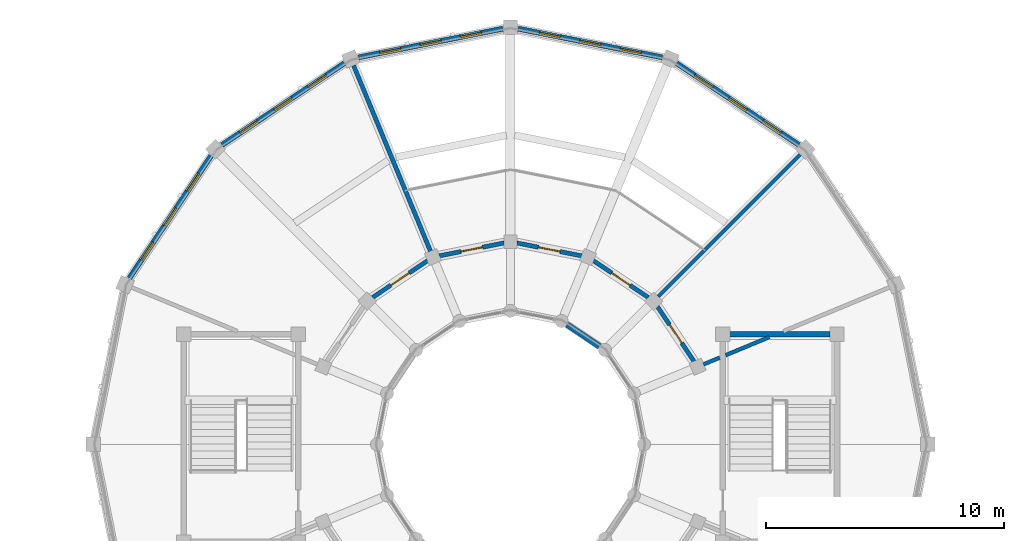
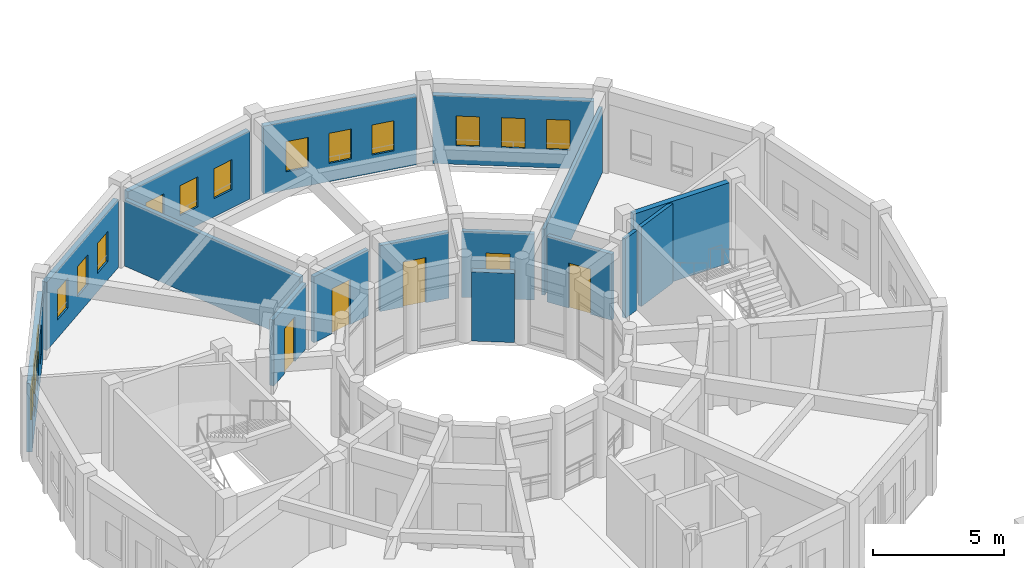
# One storey, part 130 of 159: 16 walls, 15 windows, 5 doors, 20 openings.
"""IFC4 building model written with IfcOpenShell, lengths in metres."""

from ifc_helpers import new_model, si_unit, direction, frame, frame_2d, origin, place, context, subcontext, project, spatial, rectangle, extrude, material, layer, layer_set, type_object, element, fill, save


model = new_model("IFC4")

# Units and contexts
model_context = context("Model", 3, precision=1e-05, world=origin(), true_north=direction((0.0, 1.0)))
body_context = subcontext(model_context, "Body", "Model", "MODEL_VIEW")
ifc_project = project(units=[si_unit("LENGTHUNIT", "METRE"), si_unit("AREAUNIT", "SQUARE_METRE"), si_unit("VOLUMEUNIT", "CUBIC_METRE"), si_unit("PLANEANGLEUNIT", "RADIAN"), si_unit("MASSUNIT", "GRAM", prefix="KILO")], contexts=[model_context])

# Site, building, storey
site_placement = place(None, origin())
site = spatial("IfcSite", under=ifc_project, at=site_placement, CompositionType="ELEMENT")
building_placement = place(site_placement, origin())
building = spatial("IfcBuilding", under=site, at=building_placement, Name="Celadon Cloister-Ring School", CompositionType="ELEMENT")
storey_placement = place(building_placement, frame((0.0, 0.0, 4.5)))
storey = spatial("IfcBuildingStorey", under=building, at=storey_placement, Name="L01", CompositionType="ELEMENT", Elevation=4.5)

# Wall
ifc_material_1 = material(Name="Rendered concrete blockwork", Category="masonry")
ifc_layer_1 = layer(ifc_material_1, 0.239990234375)
ifc_layer_set_1 = layer_set([ifc_layer_1], Name="Rendered concrete blockwork")
wall_type_1 = type_object("IfcWallType", Name="WT-EX3", PredefinedType="SOLIDWALL", material=ifc_layer_set_1)
wall_1_placement = place(storey_placement, frame((23.929931640625, 101.114013671875, 0.0), z_axis=(0.0, 0.0, 1.0), x_axis=(-0.83165874011, 0.555287078904, 0.0)))
element("IfcWall", 1, at=wall_1_placement, inside=storey, type_object=wall_type_1, Name="Exterior Wall 0234", PredefinedType="SOLIDWALL", context=body_context, shape_type="SweptSolid", body=[
    extrude(rectangle(XDim=1.631591796875, YDim=0.239990234375, at=frame_2d((0.81591796875, 0.0))), origin(), (0.0, 0.0, 1.0), 3.221923828125),
])

# Wall, openings, windows
ifc_material_2 = material(Name="Perforated terracotta clay brick masonry", Category="masonry")
ifc_layer_2 = layer(ifc_material_2, 0.219970703125)
ifc_layer_set_2 = layer_set([ifc_layer_2], Name="Perforated terracotta clay brick masonry")
wall_type_2 = type_object("IfcWallType", Name="WT-EX4", PredefinedType="SOLIDWALL", material=ifc_layer_set_2)
wall_2_placement = place(storey_placement, frame((27.1708984375, 112.985107421875, 0.0), z_axis=(0.0, 0.0, 1.0), x_axis=(0.831392186772, -0.55568609104, 0.0)))
wall_2 = element("IfcWall", 2, at=wall_2_placement, inside=storey, type_object=wall_type_2, Name="Exterior Wall 0233", PredefinedType="SOLIDWALL", context=body_context, shape_type="SweptSolid", body=[
    extrude(rectangle(XDim=6.16943359375, YDim=0.219970703125, at=frame_2d((3.084716796875, 0.0))), origin(), (0.0, 0.0, 1.0), 3.172119140625),
])
opening_1_placement = place(wall_2_placement, frame((0.906982421875, 0.0, 0.85009765625)))
opening_1 = element("IfcOpeningElement", 3, at=opening_1_placement, cuts=wall_2, Name="Opening WN-21", PredefinedType="OPENING", context=body_context, shape_type="SweptSolid", body=[
    extrude(rectangle(XDim=0.89990234375, YDim=1.39990234375, at=frame_2d((0.449951171875, 0.699951171875))), frame((0.0, 0.1201171875, 0.0), z_axis=(0.0, -1.0, 0.0), x_axis=(1.0, 0.0, 0.0)), (0.0, 0.0, 1.0), 0.239990234375),
])
opening_2_placement = place(wall_2_placement, frame((2.635009765625, 0.0, 0.85009765625)))
opening_2 = element("IfcOpeningElement", 4, at=opening_2_placement, cuts=wall_2, Name="Opening WN-21", PredefinedType="OPENING", context=body_context, shape_type="SweptSolid", body=[
    extrude(rectangle(XDim=0.89990234375, YDim=1.39990234375, at=frame_2d((0.449951171875, 0.699951171875))), frame((0.0, 0.1201171875, 0.0), z_axis=(0.0, -1.0, 0.0), x_axis=(1.0, 0.0, 0.0)), (0.0, 0.0, 1.0), 0.239990234375),
])
opening_3_placement = place(wall_2_placement, frame((4.362060546875, 0.0, 0.85009765625)))
opening_3 = element("IfcOpeningElement", 5, at=opening_3_placement, cuts=wall_2, Name="Opening WN-21", PredefinedType="OPENING", context=body_context, shape_type="SweptSolid", body=[
    extrude(rectangle(XDim=0.89990234375, YDim=1.39990234375, at=frame_2d((0.449951171875, 0.699951171875))), frame((0.0, 0.1201171875, 0.0), z_axis=(0.0, -1.0, 0.0), x_axis=(1.0, 0.0, 0.0)), (0.0, 0.0, 1.0), 0.239990234375),
])
ifc_material_3 = material(Name="Tempered laminated insulating glass", Category="glass")
window_type = type_object("IfcWindowType", Name="WN-21", PartitioningType="SINGLE_PANEL", PredefinedType="WINDOW", material=ifc_material_3)
window_1_placement = place(opening_1_placement, origin())
window_1 = element("IfcWindow", 6, at=window_1_placement, inside=storey, type_object=window_type, Name="Window 0625", OverallHeight=1.39990234375, OverallWidth=0.89990234375, PartitioningType="SINGLE_PANEL", PredefinedType="WINDOW", context=body_context, shape_type="SweptSolid", body=[
    extrude(rectangle(XDim=0.89990234375, YDim=1.39990234375, at=frame_2d((0.449951171875, 0.699951171875))), frame((0.0, 0.030029296875, 0.0), z_axis=(0.0, -1.0, 0.0), x_axis=(1.0, 0.0, 0.0)), (0.0, 0.0, 1.0), 0.06005859375),
])
fill(opening_1, window_1)
window_2_placement = place(opening_2_placement, origin())
window_2 = element("IfcWindow", 7, at=window_2_placement, inside=storey, type_object=window_type, Name="Window 0626", OverallHeight=1.39990234375, OverallWidth=0.89990234375, PartitioningType="SINGLE_PANEL", PredefinedType="WINDOW", context=body_context, shape_type="SweptSolid", body=[
    extrude(rectangle(XDim=0.89990234375, YDim=1.39990234375, at=frame_2d((0.449951171875, 0.699951171875))), frame((0.0, 0.030029296875, 0.0), z_axis=(0.0, -1.0, 0.0), x_axis=(1.0, 0.0, 0.0)), (0.0, 0.0, 1.0), 0.06005859375),
])
fill(opening_2, window_2)
window_3_placement = place(opening_3_placement, origin())
window_3 = element("IfcWindow", 8, at=window_3_placement, inside=storey, type_object=window_type, Name="Window 0627", OverallHeight=1.39990234375, OverallWidth=0.89990234375, PartitioningType="SINGLE_PANEL", PredefinedType="WINDOW", context=body_context, shape_type="SweptSolid", body=[
    extrude(rectangle(XDim=0.89990234375, YDim=1.39990234375, at=frame_2d((0.449951171875, 0.699951171875))), frame((0.0, 0.030029296875, 0.0), z_axis=(0.0, -1.0, 0.0), x_axis=(1.0, 0.0, 0.0)), (0.0, 0.0, 1.0), 0.06005859375),
])
fill(opening_3, window_3)

wall_3_placement = place(storey_placement, frame((20.52294921875, 114.43603515625, 0.0), z_axis=(0.0, 0.0, 1.0), x_axis=(0.980770460131, -0.195164813773, 0.0)))
wall_3 = element("IfcWall", 9, at=wall_3_placement, inside=storey, type_object=wall_type_2, Name="Exterior Wall 0235", PredefinedType="SOLIDWALL", context=body_context, shape_type="SweptSolid", body=[
    extrude(rectangle(XDim=6.169677734375, YDim=0.219970703125, at=frame_2d((3.0849609375, 0.0))), origin(), (0.0, 0.0, 1.0), 3.172119140625),
])
opening_4_placement = place(wall_3_placement, frame((0.906982421875, 0.0, 0.85009765625)))
opening_4 = element("IfcOpeningElement", 10, at=opening_4_placement, cuts=wall_3, Name="Opening WN-21", PredefinedType="OPENING", context=body_context, shape_type="SweptSolid", body=[
    extrude(rectangle(XDim=0.89990234375, YDim=1.39990234375, at=frame_2d((0.449951171875, 0.699951171875))), frame((0.0, 0.1201171875, 0.0), z_axis=(0.0, -1.0, 0.0), x_axis=(1.0, 0.0, 0.0)), (0.0, 0.0, 1.0), 0.239990234375),
])
opening_5_placement = place(wall_3_placement, frame((2.635009765625, 0.0, 0.85009765625)))
opening_5 = element("IfcOpeningElement", 11, at=opening_5_placement, cuts=wall_3, Name="Opening WN-21", PredefinedType="OPENING", context=body_context, shape_type="SweptSolid", body=[
    extrude(rectangle(XDim=0.89990234375, YDim=1.39990234375, at=frame_2d((0.449951171875, 0.699951171875))), frame((0.0, 0.1201171875, 0.0), z_axis=(0.0, -1.0, 0.0), x_axis=(1.0, 0.0, 0.0)), (0.0, 0.0, 1.0), 0.239990234375),
])
opening_6_placement = place(wall_3_placement, frame((4.362060546875, 0.0, 0.85009765625)))
opening_6 = element("IfcOpeningElement", 12, at=opening_6_placement, cuts=wall_3, Name="Opening WN-21", PredefinedType="OPENING", context=body_context, shape_type="SweptSolid", body=[
    extrude(rectangle(XDim=0.89990234375, YDim=1.39990234375, at=frame_2d((0.449951171875, 0.699951171875))), frame((0.0, 0.1201171875, 0.0), z_axis=(0.0, -1.0, 0.0), x_axis=(1.0, 0.0, 0.0)), (0.0, 0.0, 1.0), 0.239990234375),
])
window_4_placement = place(opening_4_placement, origin())
window_4 = element("IfcWindow", 13, at=window_4_placement, inside=storey, type_object=window_type, Name="Window 0628", OverallHeight=1.39990234375, OverallWidth=0.89990234375, PartitioningType="SINGLE_PANEL", PredefinedType="WINDOW", context=body_context, shape_type="SweptSolid", body=[
    extrude(rectangle(XDim=0.89990234375, YDim=1.39990234375, at=frame_2d((0.449951171875, 0.699951171875))), frame((0.0, 0.030029296875, 0.0), z_axis=(0.0, -1.0, 0.0), x_axis=(1.0, 0.0, 0.0)), (0.0, 0.0, 1.0), 0.06005859375),
])
fill(opening_4, window_4)
window_5_placement = place(opening_5_placement, origin())
window_5 = element("IfcWindow", 14, at=window_5_placement, inside=storey, type_object=window_type, Name="Window 0629", OverallHeight=1.39990234375, OverallWidth=0.89990234375, PartitioningType="SINGLE_PANEL", PredefinedType="WINDOW", context=body_context, shape_type="SweptSolid", body=[
    extrude(rectangle(XDim=0.89990234375, YDim=1.39990234375, at=frame_2d((0.449951171875, 0.699951171875))), frame((0.0, 0.030029296875, 0.0), z_axis=(0.0, -1.0, 0.0), x_axis=(1.0, 0.0, 0.0)), (0.0, 0.0, 1.0), 0.06005859375),
])
fill(opening_5, window_5)
window_6_placement = place(opening_6_placement, origin())
window_6 = element("IfcWindow", 15, at=window_6_placement, inside=storey, type_object=window_type, Name="Window 0630", OverallHeight=1.39990234375, OverallWidth=0.89990234375, PartitioningType="SINGLE_PANEL", PredefinedType="WINDOW", context=body_context, shape_type="SweptSolid", body=[
    extrude(rectangle(XDim=0.89990234375, YDim=1.39990234375, at=frame_2d((0.449951171875, 0.699951171875))), frame((0.0, 0.030029296875, 0.0), z_axis=(0.0, -1.0, 0.0), x_axis=(1.0, 0.0, 0.0)), (0.0, 0.0, 1.0), 0.06005859375),
])
fill(opening_6, window_6)

wall_4_placement = place(storey_placement, frame((13.825927734375, 113.23193359375, 0.0), z_axis=(0.0, 0.0, 1.0), x_axis=(0.980770460131, 0.195164813773, 0.0)))
wall_4 = element("IfcWall", 16, at=wall_4_placement, inside=storey, type_object=wall_type_2, Name="Exterior Wall 0236", PredefinedType="SOLIDWALL", context=body_context, shape_type="SweptSolid", body=[
    extrude(rectangle(XDim=6.169677734375, YDim=0.219970703125, at=frame_2d((3.0849609375, 0.0))), origin(), (0.0, 0.0, 1.0), 3.172119140625),
])
opening_7_placement = place(wall_4_placement, frame((0.906982421875, 0.0, 0.85009765625)))
opening_7 = element("IfcOpeningElement", 17, at=opening_7_placement, cuts=wall_4, Name="Opening WN-21", PredefinedType="OPENING", context=body_context, shape_type="SweptSolid", body=[
    extrude(rectangle(XDim=0.89990234375, YDim=1.39990234375, at=frame_2d((0.449951171875, 0.699951171875))), frame((0.0, 0.1201171875, 0.0), z_axis=(0.0, -1.0, 0.0), x_axis=(1.0, 0.0, 0.0)), (0.0, 0.0, 1.0), 0.239990234375),
])
opening_8_placement = place(wall_4_placement, frame((2.635009765625, 0.0, 0.85009765625)))
opening_8 = element("IfcOpeningElement", 18, at=opening_8_placement, cuts=wall_4, Name="Opening WN-21", PredefinedType="OPENING", context=body_context, shape_type="SweptSolid", body=[
    extrude(rectangle(XDim=0.89990234375, YDim=1.39990234375, at=frame_2d((0.449951171875, 0.699951171875))), frame((0.0, 0.1201171875, 0.0), z_axis=(0.0, -1.0, 0.0), x_axis=(1.0, 0.0, 0.0)), (0.0, 0.0, 1.0), 0.239990234375),
])
opening_9_placement = place(wall_4_placement, frame((4.362060546875, 0.0, 0.85009765625)))
opening_9 = element("IfcOpeningElement", 19, at=opening_9_placement, cuts=wall_4, Name="Opening WN-21", PredefinedType="OPENING", context=body_context, shape_type="SweptSolid", body=[
    extrude(rectangle(XDim=0.89990234375, YDim=1.39990234375, at=frame_2d((0.449951171875, 0.699951171875))), frame((0.0, 0.1201171875, 0.0), z_axis=(0.0, -1.0, 0.0), x_axis=(1.0, 0.0, 0.0)), (0.0, 0.0, 1.0), 0.239990234375),
])
window_7_placement = place(opening_7_placement, origin())
window_7 = element("IfcWindow", 20, at=window_7_placement, inside=storey, type_object=window_type, Name="Window 0631", OverallHeight=1.39990234375, OverallWidth=0.89990234375, PartitioningType="SINGLE_PANEL", PredefinedType="WINDOW", context=body_context, shape_type="SweptSolid", body=[
    extrude(rectangle(XDim=0.89990234375, YDim=1.39990234375, at=frame_2d((0.449951171875, 0.699951171875))), frame((0.0, 0.030029296875, 0.0), z_axis=(0.0, -1.0, 0.0), x_axis=(1.0, 0.0, 0.0)), (0.0, 0.0, 1.0), 0.06005859375),
])
fill(opening_7, window_7)
window_8_placement = place(opening_8_placement, origin())
window_8 = element("IfcWindow", 21, at=window_8_placement, inside=storey, type_object=window_type, Name="Window 0632", OverallHeight=1.39990234375, OverallWidth=0.89990234375, PartitioningType="SINGLE_PANEL", PredefinedType="WINDOW", context=body_context, shape_type="SweptSolid", body=[
    extrude(rectangle(XDim=0.89990234375, YDim=1.39990234375, at=frame_2d((0.449951171875, 0.699951171875))), frame((0.0, 0.030029296875, 0.0), z_axis=(0.0, -1.0, 0.0), x_axis=(1.0, 0.0, 0.0)), (0.0, 0.0, 1.0), 0.06005859375),
])
fill(opening_8, window_8)
window_9_placement = place(opening_9_placement, origin())
window_9 = element("IfcWindow", 22, at=window_9_placement, inside=storey, type_object=window_type, Name="Window 0633", OverallHeight=1.39990234375, OverallWidth=0.89990234375, PartitioningType="SINGLE_PANEL", PredefinedType="WINDOW", context=body_context, shape_type="SweptSolid", body=[
    extrude(rectangle(XDim=0.89990234375, YDim=1.39990234375, at=frame_2d((0.449951171875, 0.699951171875))), frame((0.0, 0.030029296875, 0.0), z_axis=(0.0, -1.0, 0.0), x_axis=(1.0, 0.0, 0.0)), (0.0, 0.0, 1.0), 0.06005859375),
])
fill(opening_9, window_9)

wall_5_placement = place(storey_placement, frame((8.10009765625, 109.556884765625, 0.0), z_axis=(0.0, 0.0, 1.0), x_axis=(0.831379966495, 0.555704374025, 0.0)))
wall_5 = element("IfcWall", 23, at=wall_5_placement, inside=storey, type_object=wall_type_2, Name="Exterior Wall 0237", PredefinedType="SOLIDWALL", context=body_context, shape_type="SweptSolid", body=[
    extrude(rectangle(XDim=6.169189453125, YDim=0.219970703125, at=frame_2d((3.08447265625, 0.0))), origin(), (0.0, 0.0, 1.0), 3.172119140625),
])
opening_10_placement = place(wall_5_placement, frame((0.906982421875, 0.0, 0.85009765625)))
opening_10 = element("IfcOpeningElement", 24, at=opening_10_placement, cuts=wall_5, Name="Opening WN-21", PredefinedType="OPENING", context=body_context, shape_type="SweptSolid", body=[
    extrude(rectangle(XDim=0.89990234375, YDim=1.39990234375, at=frame_2d((0.449951171875, 0.699951171875))), frame((0.0, 0.1201171875, 0.0), z_axis=(0.0, -1.0, 0.0), x_axis=(1.0, 0.0, 0.0)), (0.0, 0.0, 1.0), 0.239990234375),
])
opening_11_placement = place(wall_5_placement, frame((2.635009765625, 0.0, 0.85009765625)))
opening_11 = element("IfcOpeningElement", 25, at=opening_11_placement, cuts=wall_5, Name="Opening WN-21", PredefinedType="OPENING", context=body_context, shape_type="SweptSolid", body=[
    extrude(rectangle(XDim=0.89990234375, YDim=1.39990234375, at=frame_2d((0.449951171875, 0.699951171875))), frame((0.0, 0.1201171875, 0.0), z_axis=(0.0, -1.0, 0.0), x_axis=(1.0, 0.0, 0.0)), (0.0, 0.0, 1.0), 0.239990234375),
])
opening_12_placement = place(wall_5_placement, frame((4.362060546875, 0.0, 0.85009765625)))
opening_12 = element("IfcOpeningElement", 26, at=opening_12_placement, cuts=wall_5, Name="Opening WN-21", PredefinedType="OPENING", context=body_context, shape_type="SweptSolid", body=[
    extrude(rectangle(XDim=0.89990234375, YDim=1.39990234375, at=frame_2d((0.449951171875, 0.699951171875))), frame((0.0, 0.1201171875, 0.0), z_axis=(0.0, -1.0, 0.0), x_axis=(1.0, 0.0, 0.0)), (0.0, 0.0, 1.0), 0.239990234375),
])
window_10_placement = place(opening_10_placement, origin())
window_10 = element("IfcWindow", 27, at=window_10_placement, inside=storey, type_object=window_type, Name="Window 0634", OverallHeight=1.39990234375, OverallWidth=0.89990234375, PartitioningType="SINGLE_PANEL", PredefinedType="WINDOW", context=body_context, shape_type="SweptSolid", body=[
    extrude(rectangle(XDim=0.89990234375, YDim=1.39990234375, at=frame_2d((0.449951171875, 0.699951171875))), frame((0.0, 0.030029296875, 0.0), z_axis=(0.0, -1.0, 0.0), x_axis=(1.0, 0.0, 0.0)), (0.0, 0.0, 1.0), 0.06005859375),
])
fill(opening_10, window_10)
window_11_placement = place(opening_11_placement, origin())
window_11 = element("IfcWindow", 28, at=window_11_placement, inside=storey, type_object=window_type, Name="Window 0635", OverallHeight=1.39990234375, OverallWidth=0.89990234375, PartitioningType="SINGLE_PANEL", PredefinedType="WINDOW", context=body_context, shape_type="SweptSolid", body=[
    extrude(rectangle(XDim=0.89990234375, YDim=1.39990234375, at=frame_2d((0.449951171875, 0.699951171875))), frame((0.0, 0.030029296875, 0.0), z_axis=(0.0, -1.0, 0.0), x_axis=(1.0, 0.0, 0.0)), (0.0, 0.0, 1.0), 0.06005859375),
])
fill(opening_11, window_11)
window_12_placement = place(opening_12_placement, origin())
window_12 = element("IfcWindow", 29, at=window_12_placement, inside=storey, type_object=window_type, Name="Window 0636", OverallHeight=1.39990234375, OverallWidth=0.89990234375, PartitioningType="SINGLE_PANEL", PredefinedType="WINDOW", context=body_context, shape_type="SweptSolid", body=[
    extrude(rectangle(XDim=0.89990234375, YDim=1.39990234375, at=frame_2d((0.449951171875, 0.699951171875))), frame((0.0, 0.030029296875, 0.0), z_axis=(0.0, -1.0, 0.0), x_axis=(1.0, 0.0, 0.0)), (0.0, 0.0, 1.0), 0.06005859375),
])
fill(opening_12, window_12)

wall_6_placement = place(storey_placement, frame((4.215087890625, 103.970947265625, 0.0), z_axis=(0.0, 0.0, 1.0), x_axis=(0.555658736667, 0.831410469242, 0.0)))
wall_6 = element("IfcWall", 30, at=wall_6_placement, inside=storey, type_object=wall_type_2, Name="Exterior Wall 0238", PredefinedType="SOLIDWALL", context=body_context, shape_type="SweptSolid", body=[
    extrude(rectangle(XDim=6.169189453125, YDim=0.219970703125, at=frame_2d((3.08447265625, 0.0))), origin(), (0.0, 0.0, 1.0), 3.172119140625),
])
opening_13_placement = place(wall_6_placement, frame((0.906982421875, 0.0, 0.85009765625)))
opening_13 = element("IfcOpeningElement", 31, at=opening_13_placement, cuts=wall_6, Name="Opening WN-21", PredefinedType="OPENING", context=body_context, shape_type="SweptSolid", body=[
    extrude(rectangle(XDim=0.89990234375, YDim=1.39990234375, at=frame_2d((0.449951171875, 0.699951171875))), frame((0.0, 0.1201171875, 0.0), z_axis=(0.0, -1.0, 0.0), x_axis=(1.0, 0.0, 0.0)), (0.0, 0.0, 1.0), 0.239990234375),
])
opening_14_placement = place(wall_6_placement, frame((2.635009765625, 0.0, 0.85009765625)))
opening_14 = element("IfcOpeningElement", 32, at=opening_14_placement, cuts=wall_6, Name="Opening WN-21", PredefinedType="OPENING", context=body_context, shape_type="SweptSolid", body=[
    extrude(rectangle(XDim=0.89990234375, YDim=1.39990234375, at=frame_2d((0.449951171875, 0.699951171875))), frame((0.0, 0.1201171875, 0.0), z_axis=(0.0, -1.0, 0.0), x_axis=(1.0, 0.0, 0.0)), (0.0, 0.0, 1.0), 0.239990234375),
])
opening_15_placement = place(wall_6_placement, frame((4.362060546875, 0.0, 0.85009765625)))
opening_15 = element("IfcOpeningElement", 33, at=opening_15_placement, cuts=wall_6, Name="Opening WN-21", PredefinedType="OPENING", context=body_context, shape_type="SweptSolid", body=[
    extrude(rectangle(XDim=0.89990234375, YDim=1.39990234375, at=frame_2d((0.449951171875, 0.699951171875))), frame((0.0, 0.1201171875, 0.0), z_axis=(0.0, -1.0, 0.0), x_axis=(1.0, 0.0, 0.0)), (0.0, 0.0, 1.0), 0.239990234375),
])
window_13_placement = place(opening_13_placement, origin())
window_13 = element("IfcWindow", 34, at=window_13_placement, inside=storey, type_object=window_type, Name="Window 0637", OverallHeight=1.39990234375, OverallWidth=0.89990234375, PartitioningType="SINGLE_PANEL", PredefinedType="WINDOW", context=body_context, shape_type="SweptSolid", body=[
    extrude(rectangle(XDim=0.89990234375, YDim=1.39990234375, at=frame_2d((0.449951171875, 0.699951171875))), frame((0.0, 0.030029296875, 0.0), z_axis=(0.0, -1.0, 0.0), x_axis=(1.0, 0.0, 0.0)), (0.0, 0.0, 1.0), 0.06005859375),
])
fill(opening_13, window_13)
window_14_placement = place(opening_14_placement, origin())
window_14 = element("IfcWindow", 35, at=window_14_placement, inside=storey, type_object=window_type, Name="Window 0638", OverallHeight=1.39990234375, OverallWidth=0.89990234375, PartitioningType="SINGLE_PANEL", PredefinedType="WINDOW", context=body_context, shape_type="SweptSolid", body=[
    extrude(rectangle(XDim=0.89990234375, YDim=1.39990234375, at=frame_2d((0.449951171875, 0.699951171875))), frame((0.0, 0.030029296875, 0.0), z_axis=(0.0, -1.0, 0.0), x_axis=(1.0, 0.0, 0.0)), (0.0, 0.0, 1.0), 0.06005859375),
])
fill(opening_14, window_14)
window_15_placement = place(opening_15_placement, origin())
window_15 = element("IfcWindow", 36, at=window_15_placement, inside=storey, type_object=window_type, Name="Window 0639", OverallHeight=1.39990234375, OverallWidth=0.89990234375, PartitioningType="SINGLE_PANEL", PredefinedType="WINDOW", context=body_context, shape_type="SweptSolid", body=[
    extrude(rectangle(XDim=0.89990234375, YDim=1.39990234375, at=frame_2d((0.449951171875, 0.699951171875))), frame((0.0, 0.030029296875, 0.0), z_axis=(0.0, -1.0, 0.0), x_axis=(1.0, 0.0, 0.0)), (0.0, 0.0, 1.0), 0.06005859375),
])
fill(opening_15, window_15)

# Wall, opening, door
ifc_material_4 = material(Name="Plastered hollow concrete masonry", Category="masonry")
ifc_layer_3 = layer(ifc_material_4, 0.179931640625)
ifc_layer_set_3 = layer_set([ifc_layer_3], Name="Plastered hollow concrete masonry")
wall_type_3 = type_object("IfcWallType", Name="WT-PT2", PredefinedType="PARTITIONING", material=ifc_layer_set_3)
wall_7_placement = place(storey_placement, frame((27.902099609375, 100.47900390625, 0.0), z_axis=(0.0, 0.0, 1.0), x_axis=(-0.555797002478, 0.831318045056, 0.0)))
wall_7 = element("IfcWall", 37, at=wall_7_placement, inside=storey, type_object=wall_type_3, Name="Interior Wall 0688", PredefinedType="PARTITIONING", context=body_context, shape_type="SweptSolid", body=[
    extrude(rectangle(XDim=2.772705078125, YDim=0.179931640625, at=frame_2d((1.38623046875, 0.0))), origin(), (0.0, 0.0, 1.0), 3.072021484375),
])
opening_16_placement = place(wall_7_placement, frame((0.926025390625, 0.0, 0.0)))
opening_16 = element("IfcOpeningElement", 38, at=opening_16_placement, cuts=wall_7, Name="Opening D-0248", PredefinedType="OPENING", context=body_context, shape_type="SweptSolid", body=[
    extrude(rectangle(XDim=0.919921875, YDim=2.10009765625, at=frame_2d((0.4599609375, 1.050048828125))), frame((0.0, 0.10009765625, 0.0), z_axis=(0.0, -1.0, 0.0), x_axis=(1.0, 0.0, 0.0)), (0.0, 0.0, 1.0), 0.199951171875),
])
ifc_material_5 = material(Name="Solid-core fire-rated hardwood leaf", Category="wood")
door_type = type_object("IfcDoorType", Name="DT-02", OperationType="NOTDEFINED", PredefinedType="DOOR", material=ifc_material_5)
door_1_placement = place(opening_16_placement, origin())
door_1 = element("IfcDoor", 39, at=door_1_placement, inside=storey, type_object=door_type, Name="Door D-0248", OperationType="SINGLE_SWING_RIGHT", OverallHeight=2.10009765625, OverallWidth=0.919921875, PredefinedType="DOOR", context=body_context, shape_type="SweptSolid", body=[
    extrude(rectangle(XDim=0.919921875, YDim=2.10009765625, at=frame_2d((0.4599609375, 1.050048828125))), frame((0.0, 0.02490234375, 0.0), z_axis=(0.0, -1.0, 0.0), x_axis=(1.0, 0.0, 0.0)), (0.0, 0.0, 1.0), 0.050048828125),
])
fill(opening_16, door_1)

wall_8_placement = place(storey_placement, frame((25.98388671875, 103.160888671875, 0.0), z_axis=(0.0, 0.0, 1.0), x_axis=(-0.831318045056, 0.555797002478, 0.0)))
wall_8 = element("IfcWall", 40, at=wall_8_placement, inside=storey, type_object=wall_type_3, Name="Interior Wall 0689", PredefinedType="PARTITIONING", context=body_context, shape_type="SweptSolid", body=[
    extrude(rectangle(XDim=2.772705078125, YDim=0.179931640625, at=frame_2d((1.38623046875, 0.0))), origin(), (0.0, 0.0, 1.0), 3.072021484375),
])
opening_17_placement = place(wall_8_placement, frame((0.926025390625, 0.0, 0.0)))
opening_17 = element("IfcOpeningElement", 41, at=opening_17_placement, cuts=wall_8, Name="Opening D-0249", PredefinedType="OPENING", context=body_context, shape_type="SweptSolid", body=[
    extrude(rectangle(XDim=0.919921875, YDim=2.10009765625, at=frame_2d((0.4599609375, 1.050048828125))), frame((0.0, 0.10009765625, 0.0), z_axis=(0.0, -1.0, 0.0), x_axis=(1.0, 0.0, 0.0)), (0.0, 0.0, 1.0), 0.199951171875),
])
door_2_placement = place(opening_17_placement, origin())
door_2 = element("IfcDoor", 42, at=door_2_placement, inside=storey, type_object=door_type, Name="Door D-0249", OperationType="SINGLE_SWING_LEFT", OverallHeight=2.10009765625, OverallWidth=0.919921875, PredefinedType="DOOR", context=body_context, shape_type="SweptSolid", body=[
    extrude(rectangle(XDim=0.919921875, YDim=2.10009765625, at=frame_2d((0.4599609375, 1.050048828125))), frame((0.0, 0.02490234375, 0.0), z_axis=(0.0, -1.0, 0.0), x_axis=(1.0, 0.0, 0.0)), (0.0, 0.0, 1.0), 0.050048828125),
])
fill(opening_17, door_2)

wall_9_placement = place(storey_placement, frame((23.18603515625, 104.906005859375, 0.0), z_axis=(0.0, 0.0, 1.0), x_axis=(-0.980773264811, 0.195150718759, 0.0)))
wall_9 = element("IfcWall", 43, at=wall_9_placement, inside=storey, type_object=wall_type_3, Name="Interior Wall 0690", PredefinedType="PARTITIONING", context=body_context, shape_type="SweptSolid", body=[
    extrude(rectangle(XDim=2.772216796875, YDim=0.179931640625, at=frame_2d((1.38623046875, 0.0))), origin(), (0.0, 0.0, 1.0), 3.072021484375),
])
opening_18_placement = place(wall_9_placement, frame((0.926025390625, 0.0, 0.0)))
opening_18 = element("IfcOpeningElement", 44, at=opening_18_placement, cuts=wall_9, Name="Opening D-0250", PredefinedType="OPENING", context=body_context, shape_type="SweptSolid", body=[
    extrude(rectangle(XDim=0.919921875, YDim=2.10009765625, at=frame_2d((0.4599609375, 1.050048828125))), frame((0.0, 0.10009765625, 0.0), z_axis=(0.0, -1.0, 0.0), x_axis=(1.0, 0.0, 0.0)), (0.0, 0.0, 1.0), 0.199951171875),
])
door_3_placement = place(opening_18_placement, origin())
door_3 = element("IfcDoor", 45, at=door_3_placement, inside=storey, type_object=door_type, Name="Door D-0250", OperationType="SINGLE_SWING_RIGHT", OverallHeight=2.10009765625, OverallWidth=0.919921875, PredefinedType="DOOR", context=body_context, shape_type="SweptSolid", body=[
    extrude(rectangle(XDim=0.919921875, YDim=2.10009765625, at=frame_2d((0.4599609375, 1.050048828125))), frame((0.0, 0.02490234375, 0.0), z_axis=(0.0, -1.0, 0.0), x_axis=(1.0, 0.0, 0.0)), (0.0, 0.0, 1.0), 0.050048828125),
])
fill(opening_18, door_3)

wall_10_placement = place(storey_placement, frame((19.93310546875, 105.447021484375, 0.0), z_axis=(0.0, 0.0, 1.0), x_axis=(-0.980773264811, -0.195150718759, 0.0)))
wall_10 = element("IfcWall", 46, at=wall_10_placement, inside=storey, type_object=wall_type_3, Name="Interior Wall 0691", PredefinedType="PARTITIONING", context=body_context, shape_type="SweptSolid", body=[
    extrude(rectangle(XDim=2.772216796875, YDim=0.179931640625, at=frame_2d((1.38623046875, 0.0))), origin(), (0.0, 0.0, 1.0), 3.072021484375),
])
opening_19_placement = place(wall_10_placement, frame((0.926025390625, 0.0, 0.0)))
opening_19 = element("IfcOpeningElement", 47, at=opening_19_placement, cuts=wall_10, Name="Opening D-0251", PredefinedType="OPENING", context=body_context, shape_type="SweptSolid", body=[
    extrude(rectangle(XDim=0.919921875, YDim=2.10009765625, at=frame_2d((0.4599609375, 1.050048828125))), frame((0.0, 0.10009765625, 0.0), z_axis=(0.0, -1.0, 0.0), x_axis=(1.0, 0.0, 0.0)), (0.0, 0.0, 1.0), 0.199951171875),
])
door_4_placement = place(opening_19_placement, origin())
door_4 = element("IfcDoor", 48, at=door_4_placement, inside=storey, type_object=door_type, Name="Door D-0251", OperationType="SINGLE_SWING_LEFT", OverallHeight=2.10009765625, OverallWidth=0.919921875, PredefinedType="DOOR", context=body_context, shape_type="SweptSolid", body=[
    extrude(rectangle(XDim=0.919921875, YDim=2.10009765625, at=frame_2d((0.4599609375, 1.050048828125))), frame((0.0, 0.02490234375, 0.0), z_axis=(0.0, -1.0, 0.0), x_axis=(1.0, 0.0, 0.0)), (0.0, 0.0, 1.0), 0.050048828125),
])
fill(opening_19, door_4)

wall_11_placement = place(storey_placement, frame((16.720947265625, 104.701904296875, 0.0), z_axis=(0.0, 0.0, 1.0), x_axis=(-0.831318045056, -0.555797002478, 0.0)))
wall_11 = element("IfcWall", 49, at=wall_11_placement, inside=storey, type_object=wall_type_3, Name="Interior Wall 0692", PredefinedType="PARTITIONING", context=body_context, shape_type="SweptSolid", body=[
    extrude(rectangle(XDim=2.772705078125, YDim=0.179931640625, at=frame_2d((1.38623046875, 0.0))), origin(), (0.0, 0.0, 1.0), 3.072021484375),
])
opening_20_placement = place(wall_11_placement, frame((0.926025390625, 0.0, 0.0)))
opening_20 = element("IfcOpeningElement", 50, at=opening_20_placement, cuts=wall_11, Name="Opening D-0252", PredefinedType="OPENING", context=body_context, shape_type="SweptSolid", body=[
    extrude(rectangle(XDim=0.919921875, YDim=2.10009765625, at=frame_2d((0.4599609375, 1.050048828125))), frame((0.0, 0.10009765625, 0.0), z_axis=(0.0, -1.0, 0.0), x_axis=(1.0, 0.0, 0.0)), (0.0, 0.0, 1.0), 0.199951171875),
])
door_5_placement = place(opening_20_placement, origin())
door_5 = element("IfcDoor", 51, at=door_5_placement, inside=storey, type_object=door_type, Name="Door D-0252", OperationType="SINGLE_SWING_RIGHT", OverallHeight=2.10009765625, OverallWidth=0.919921875, PredefinedType="DOOR", context=body_context, shape_type="SweptSolid", body=[
    extrude(rectangle(XDim=0.919921875, YDim=2.10009765625, at=frame_2d((0.4599609375, 1.050048828125))), frame((0.0, 0.02490234375, 0.0), z_axis=(0.0, -1.0, 0.0), x_axis=(1.0, 0.0, 0.0)), (0.0, 0.0, 1.0), 0.050048828125),
])
fill(opening_20, door_5)

# Walls
wall_12_placement = place(storey_placement, frame((16.844970703125, 105.10009765625, 0.0), z_axis=(0.0, 0.0, 1.0), x_axis=(-0.382683896966, 0.923879340067, 0.0)))
element("IfcWall", 52, at=wall_12_placement, inside=storey, type_object=wall_type_3, Name="Interior Wall 0698", PredefinedType="PARTITIONING", context=body_context, shape_type="SweptSolid", body=[
    extrude(rectangle(XDim=8.4404296875, YDim=0.179931640625, at=frame_2d((4.22021484375, 0.0))), origin(), (0.0, 0.0, 1.0), 3.072021484375),
])
ifc_material_6 = material(Name="Plastered hollow concrete masonry", Category="masonry")
ifc_layer_4 = layer(ifc_material_6, 0.159912109375)
ifc_layer_set_4 = layer_set([ifc_layer_4], Name="Plastered hollow concrete masonry")
wall_type_4 = type_object("IfcWallType", Name="WT-PT3", PredefinedType="PARTITIONING", material=ifc_layer_set_4)
wall_13_placement = place(storey_placement, frame((28.300048828125, 100.35498046875, 0.0), z_axis=(0.0, 0.0, 1.0), x_axis=(0.924069600435, 0.382224245113, 0.0)))
element("IfcWall", 53, at=wall_13_placement, inside=storey, type_object=wall_type_4, Name="Interior Wall 0671", PredefinedType="PARTITIONING", context=body_context, shape_type="SweptSolid", body=[
    extrude(rectangle(XDim=0.732666015625, YDim=0.159912109375, at=frame_2d((0.3662109375, 0.0))), origin(), (0.0, 0.0, 1.0), 3.699951171875),
])
wall_14_placement = place(storey_placement, frame((29.222900390625, 100.737060546875, 0.0), z_axis=(0.0, 0.0, 1.0), x_axis=(0.923817443679, 0.382833293686, 0.0)))
element("IfcWall", 54, at=wall_14_placement, inside=storey, type_object=wall_type_4, Name="Interior Wall 0672", PredefinedType="PARTITIONING", context=body_context, shape_type="SweptSolid", body=[
    extrude(rectangle(XDim=1.985107421875, YDim=0.159912109375, at=frame_2d((0.99267578125, 0.0))), origin(), (0.0, 0.0, 1.0), 3.699951171875),
])
ifc_material_7 = material(Name="Acoustic mineral-wool drywall partition")
ifc_layer_5 = layer(ifc_material_7, 0.139892578125)
ifc_layer_set_5 = layer_set([ifc_layer_5], Name="Acoustic mineral-wool drywall partition")
wall_type_5 = type_object("IfcWallType", Name="WT-PT4", PredefinedType="PARTITIONING", material=ifc_layer_set_5)
wall_15_placement = place(storey_placement, frame((26.39892578125, 103.198974609375, 0.0), z_axis=(0.0, 0.0, 1.0), x_axis=(0.707106781187, 0.707106781187, 0.0)))
element("IfcWall", 55, at=wall_15_placement, inside=storey, type_object=wall_type_5, Name="Interior Wall 0674", PredefinedType="PARTITIONING", context=body_context, shape_type="SweptSolid", body=[
    extrude(rectangle(XDim=8.44140625, YDim=0.139892578125, at=frame_2d((4.220703125, 0.0))), origin(), (0.0, 0.0, 1.0), 3.072021484375),
])
ifc_material_8 = material(Name="Concrete C40/50", Category="concrete")
ifc_layer_6 = layer(ifc_material_8, 0.239990234375)
ifc_layer_set_6 = layer_set([ifc_layer_6], Name="Concrete C40/50")
wall_type_6 = type_object("IfcWallType", Name="WT-SH1", PredefinedType="SHEAR", material=ifc_layer_set_6)
wall_16_placement = place(storey_placement, frame((33.60791015625, 101.6201171875, 0.0), z_axis=(0.0, 0.0, 1.0), x_axis=(-1.0, 0.0, 0.0)))
element("IfcWall", 56, at=wall_16_placement, inside=storey, type_object=wall_type_6, Name="Interior Wall 0104", PredefinedType="SHEAR", context=body_context, shape_type="SweptSolid", body=[
    extrude(rectangle(XDim=4.2158203125, YDim=0.239990234375, at=frame_2d((2.10791015625, 0.0))), origin(), (0.0, 0.0, 1.0), 3.739990234375),
])

save(model, "model.ifc")
